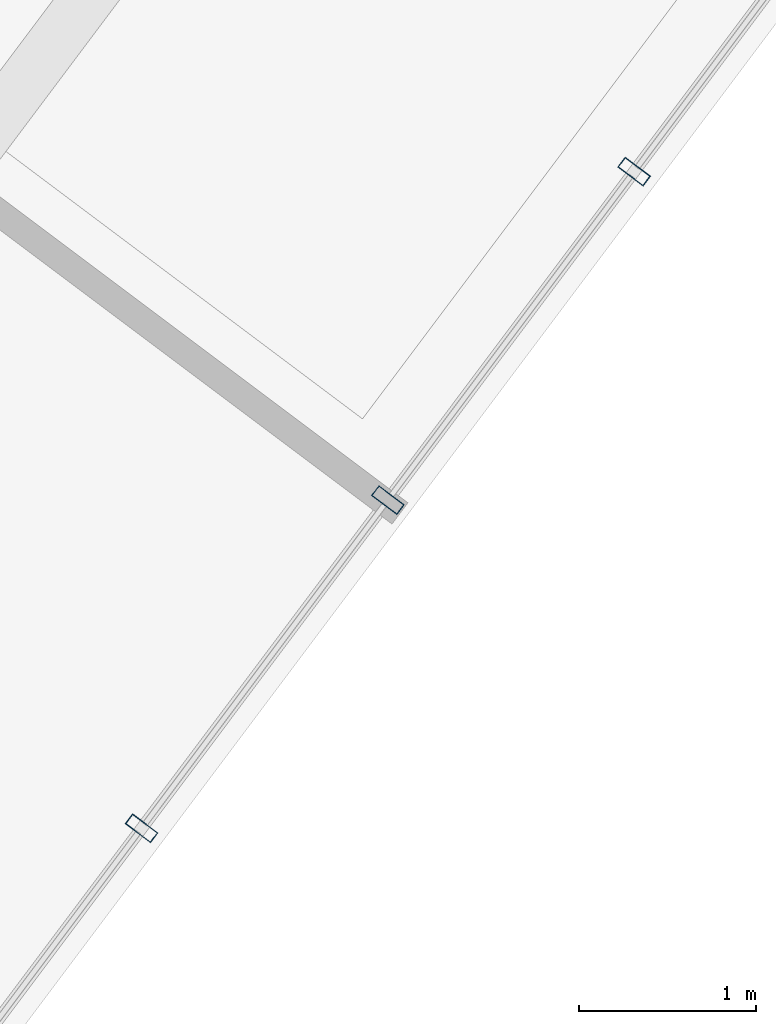
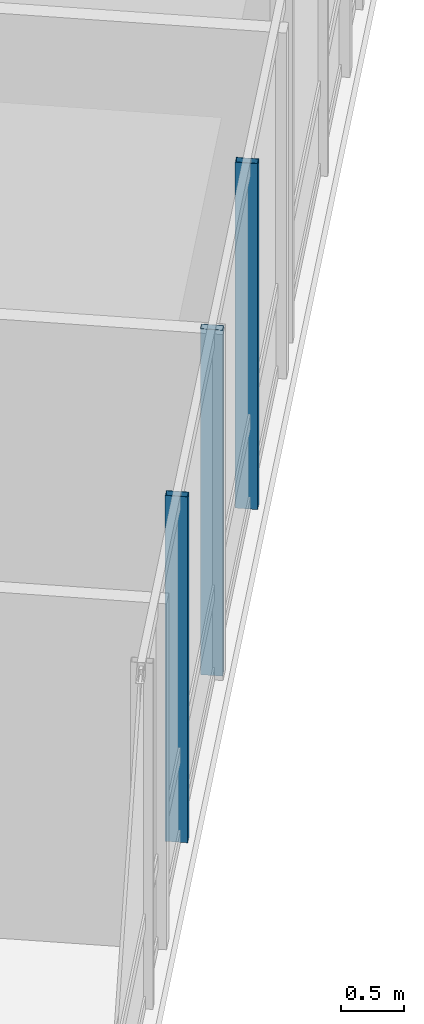
# One storey, part 11 of 26: 3 members, 1 element without a shape of its own.
"""IFC4 building model written with IfcOpenShell, lengths in metres."""

from ifc_helpers import new_model, si_unit, direction, frame, origin, origin_2d, place, context, subcontext, project, spatial, hollow_rectangle, extrude, material, layer, layer_set, material_profile, profile_set, type_object, element, aggregate, save


model = new_model("IFC4")

# Units and contexts
model_context = context("Model", 3, precision=1e-05, world=origin(), true_north=direction((0.0, 1.0)))
body_context = subcontext(model_context, "Body", "Model", "MODEL_VIEW")
ifc_project = project(units=[si_unit("LENGTHUNIT", "METRE"), si_unit("AREAUNIT", "SQUARE_METRE"), si_unit("VOLUMEUNIT", "CUBIC_METRE"), si_unit("PLANEANGLEUNIT", "RADIAN"), si_unit("MASSUNIT", "GRAM", prefix="KILO")], contexts=[model_context])

# Site, building, storey
site_placement = place(None, origin())
site = spatial("IfcSite", under=ifc_project, at=site_placement, CompositionType="ELEMENT")
building_placement = place(site_placement, origin())
building = spatial("IfcBuilding", under=site, at=building_placement, Name="Hatsunagi Terrace Concourse", CompositionType="ELEMENT")
storey_placement = place(building_placement, frame((0.0, 0.0, 209.550048828125)))
storey = spatial("IfcBuildingStorey", under=building, at=storey_placement, Name="L55", CompositionType="ELEMENT", Elevation=209.550048828125)

# Curtain wall, members
ifc_material_1 = material(Name="Anodised Aluminium Alloy 6063-T5", Category="aluminium")
ifc_layer = layer(ifc_material_1, 0.199951171875)
ifc_layer_set = layer_set([ifc_layer], Name="OfficeZone2_CW04")
curtain_wall_type = type_object("IfcCurtainWallType", Name="OfficeZone2_CW04", PredefinedType="NOTDEFINED", material=ifc_layer_set)
curtain_wall_placement = place(storey_placement, origin())
curtain_wall = element("IfcCurtainWall", 1, at=curtain_wall_placement, inside=storey, type_object=curtain_wall_type, Name="Unitised Curtain Wall CW-04 CW-L55-03", PredefinedType="NOTDEFINED")
ifc_material_2 = material(Name="Anodised Aluminium Alloy 6063-T5", Category="aluminium")
ifc_material_profile = material_profile(ifc_material_2, hollow_rectangle(XDim=0.070068359375, YDim=0.179931640625, WallThickness=0.00390625, at=origin_2d()), Name="ALU-MUL-180x70x4")
ifc_profile_set = profile_set([ifc_material_profile], Name="Anodised Aluminium Alloy 6063-T5")
member_type = type_object("IfcMemberType", Name="CurtainWallMullion_180x70", PredefinedType="MULLION", material=ifc_profile_set)
member_1_placement = place(storey_placement, frame((53.73193359375, 16.676025390625, 0.0), z_axis=(0.0, 0.0, 1.0), x_axis=(-0.599969314634, -0.800023013105, 0.0)))
member_1 = element("IfcMember", 2, at=member_1_placement, type_object=member_type, Name="Curtain Wall Mullion MUL-02", PredefinedType="MULLION", context=body_context, shape_type="SweptSolid", body=[
    extrude(hollow_rectangle(XDim=0.070068359375, YDim=0.179931640625, WallThickness=0.00390625, at=origin_2d()), origin(), (0.0, 0.0, 1.0), 3.349853515625),
])
member_2_placement = place(storey_placement, frame((52.340087890625, 14.819091796875, 0.0), z_axis=(0.0, 0.0, 1.0), x_axis=(-0.599969314634, -0.800023013105, 0.0)))
member_2 = element("IfcMember", 3, at=member_2_placement, type_object=member_type, Name="Curtain Wall Mullion MUL-02", PredefinedType="MULLION", context=body_context, shape_type="SweptSolid", body=[
    extrude(hollow_rectangle(XDim=0.070068359375, YDim=0.179931640625, WallThickness=0.00390625, at=origin_2d()), origin(), (0.0, 0.0, 1.0), 3.349853515625),
])
member_3_placement = place(storey_placement, frame((50.947021484375, 12.962890625, 0.0), z_axis=(0.0, 0.0, 1.0), x_axis=(-0.599969314634, -0.800023013105, 0.0)))
member_3 = element("IfcMember", 4, at=member_3_placement, type_object=member_type, Name="Curtain Wall Mullion MUL-02", PredefinedType="MULLION", context=body_context, shape_type="SweptSolid", body=[
    extrude(hollow_rectangle(XDim=0.070068359375, YDim=0.179931640625, WallThickness=0.00390625, at=origin_2d()), origin(), (0.0, 0.0, 1.0), 3.349853515625),
])
aggregate(curtain_wall, [member_1, member_2, member_3])

save(model, "model.ifc")
